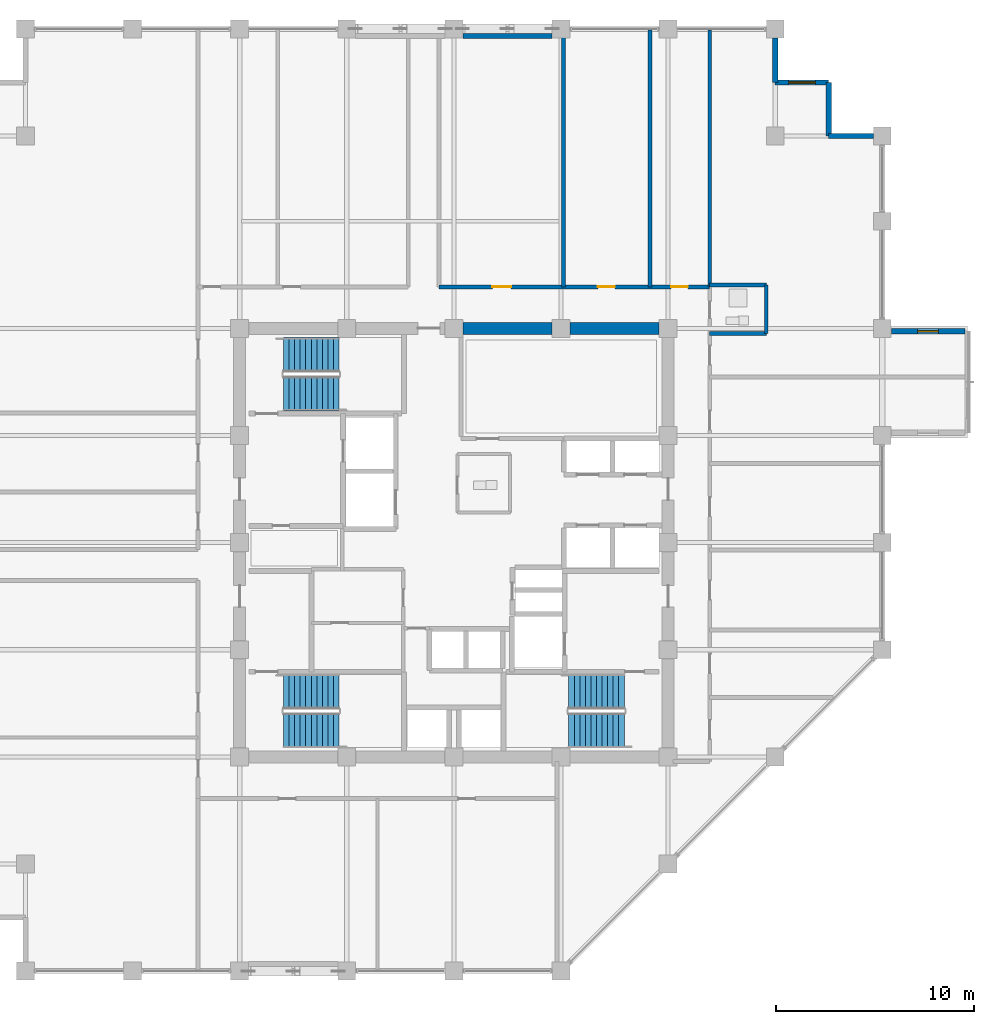
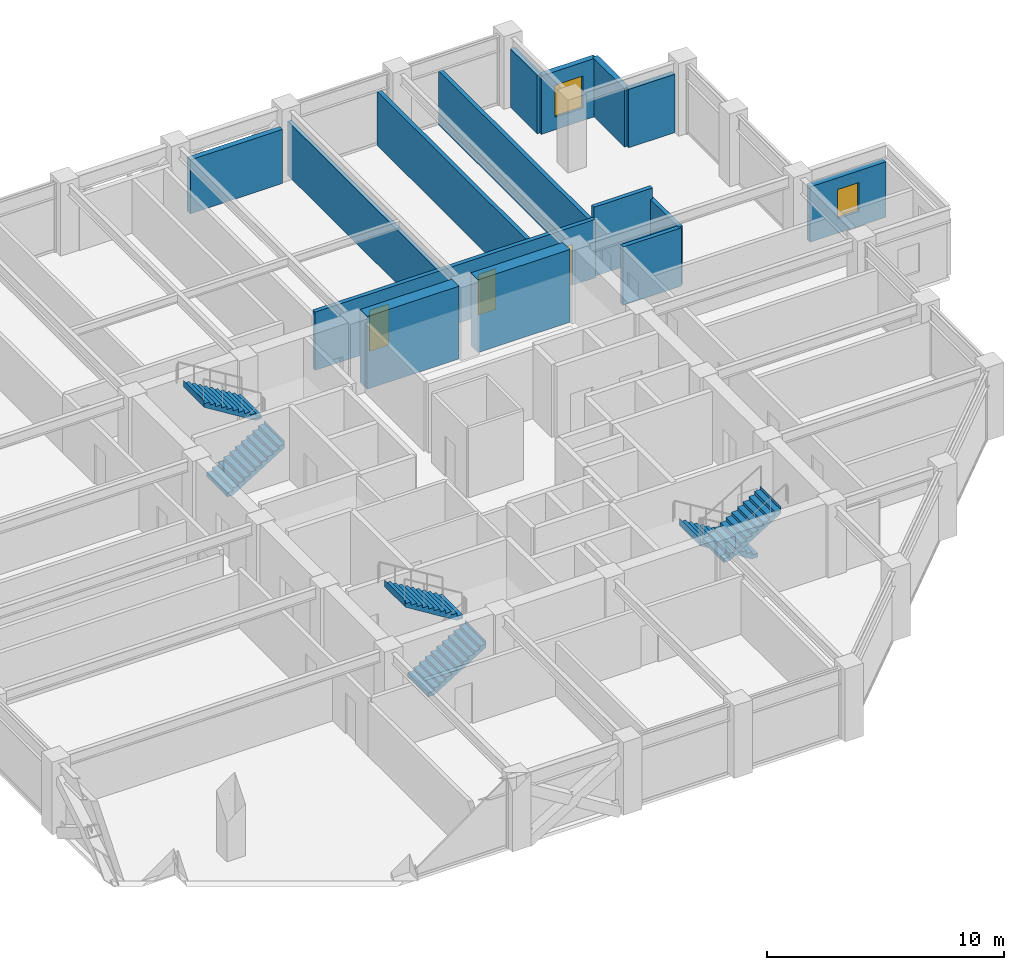
# One storey, part 25 of 28: 15 walls, 6 stair flights, 3 doors, 2 windows, 5 openings, 3 elements without a shape of their own.
"""IFC4 building model written with IfcOpenShell, lengths in metres."""

import ifcopenshell
import ifcopenshell.guid

model = None  # the IFC model being written
_history = None  # IfcOwnerHistory: only IFC2X3 demands one
_inside = {}  # id of a spatial element -> (the spatial element, [elements in it])
_under = {}  # id of a project, library or spatial element -> (it, [spatial elements below it])
_declared = {}  # id of a project -> (the project, [libraries it declares])
_typed = {}  # id of a type object -> (the type object, [elements of that type])
_made_of = {}  # id of a material, layer set ... -> (it, [elements and type objects made of it])


def new_model(schema):
    """Start an empty IFC model of exactly this schema.

    Asked for "IFC4X3", IfcOpenShell would pick the latest addendum, in which some entities
    have other attributes; the version numbers below select the first issue.
    IFC2X3 requires an IfcOwnerHistory on every rooted entity: one is made here for all.
    """
    global model, _history
    if schema == "IFC4X3":
        model = ifcopenshell.file(schema_version=(4, 3, 0, 0))
    else:
        model = ifcopenshell.file(schema=schema)
    _inside.clear()
    _under.clear()
    _declared.clear()
    _typed.clear()
    _made_of.clear()
    _history = None
    if model.schema == "IFC2X3":
        org = make("IfcOrganization", Name="unknown")
        user = make(
            "IfcPersonAndOrganization",
            ThePerson=make("IfcPerson", FamilyName="unknown"),
            TheOrganization=org,
        )
        app = make(
            "IfcApplication",
            ApplicationDeveloper=org,
            Version="unknown",
            ApplicationFullName="unknown",
            ApplicationIdentifier="unknown",
        )
        _history = make(
            "IfcOwnerHistory",
            OwningUser=user,
            OwningApplication=app,
            ChangeAction="ADDED",
            CreationDate=0,
        )
    return model


def make(cls, **values):
    """One entity of the class cls with the attributes given. An attribute that is None is left unset."""
    return model.create_entity(
        cls, **{name: value for name, value in values.items() if value is not None}
    )


def rooted(cls, **values):
    """An entity with a GlobalId (a new one), such as an element, a storey or a relation."""
    return make(cls, GlobalId=ifcopenshell.guid.new(), OwnerHistory=_history, **values)


def si_unit(unit_type, name, prefix=None):
    """IfcSIUnit, for example si_unit("LENGTHUNIT", "METRE", prefix="MILLI")."""
    return make("IfcSIUnit", UnitType=unit_type, Prefix=prefix, Name=name)


def assignment(units):
    """IfcUnitAssignment: the units of a project."""
    return None if units is None else make("IfcUnitAssignment", Units=units)


def point(xyz):
    """IfcCartesianPoint."""
    return None if xyz is None else make("IfcCartesianPoint", Coordinates=xyz)


def direction(xyz):
    """IfcDirection."""
    return None if xyz is None else make("IfcDirection", DirectionRatios=xyz)


def frame(location, z_axis=None, x_axis=None):
    """IfcAxis2Placement3D, a coordinate frame: its origin and axes. An axis left out is left unset."""
    return make(
        "IfcAxis2Placement3D",
        Location=point(location),
        Axis=direction(z_axis),
        RefDirection=direction(x_axis),
    )


def frame_2d(location, x_axis=None):
    """IfcAxis2Placement2D, a coordinate frame in the plane: its origin and x axis."""
    return make(
        "IfcAxis2Placement2D", Location=point(location), RefDirection=direction(x_axis)
    )


def origin():
    """The frame at (0, 0, 0) with its axes left unset."""
    return frame((0.0, 0.0, 0.0))


def place(relative_to, where):
    """IfcLocalPlacement: puts the frame where relative to a parent placement (None: the world)."""
    return make(
        "IfcLocalPlacement", PlacementRelTo=relative_to, RelativePlacement=where
    )


def context(
    kind, dimensions, precision=None, world=None, true_north=None, identifier=None
):
    """IfcGeometricRepresentationContext, for example the 3D "Model" context."""
    return make(
        "IfcGeometricRepresentationContext",
        ContextIdentifier=identifier,
        ContextType=kind,
        CoordinateSpaceDimension=dimensions,
        Precision=precision,
        WorldCoordinateSystem=world,
        TrueNorth=true_north,
    )


def subcontext(parent, identifier, kind, view, scale=None):
    """IfcGeometricRepresentationSubContext, for example "Body" below "Model"."""
    return make(
        "IfcGeometricRepresentationSubContext",
        ContextIdentifier=identifier,
        ContextType=kind,
        ParentContext=parent,
        TargetScale=scale,
        TargetView=view,
    )


def project(units=None, contexts=None):
    """IfcProject with its units and contexts."""
    return rooted(
        "IfcProject",
        Name="project",
        RepresentationContexts=contexts,
        UnitsInContext=assignment(units),
    )


def spatial(cls, under=None, at=None, **own):
    """A site, building, storey or space (cls), placed at a placement, below another one or the project."""
    s = rooted(cls, ObjectPlacement=at, **own)
    if under is not None:
        _under.setdefault(under.id(), (under, []))[1].append(s)
    return s


def polyline(points):
    """IfcPolyline through the points."""
    return make("IfcPolyline", Points=[point(p) for p in points])


def profile(cls, at=None, kind="AREA", **sizes):
    """A parametric profile (cls). Its sizes go by their IFC names, for example OverallWidth=200.0."""
    return make(cls, ProfileType=kind, Position=at, **sizes)


def rectangle(**sizes):
    """IfcRectangleProfileDef."""
    return profile("IfcRectangleProfileDef", **sizes)


def outline(outer, holes=None, kind="AREA"):
    """IfcArbitraryClosedProfileDef: a profile drawn as a closed curve; with holes, ...WithVoids."""
    if holes is None:
        return make("IfcArbitraryClosedProfileDef", ProfileType=kind, OuterCurve=outer)
    return make(
        "IfcArbitraryProfileDefWithVoids",
        ProfileType=kind,
        OuterCurve=outer,
        InnerCurves=holes,
    )


def extrude(swept, where, along, depth):
    """IfcExtrudedAreaSolid: the profile swept, set in the frame where, extruded along a direction by depth."""
    return make(
        "IfcExtrudedAreaSolid",
        SweptArea=swept,
        Position=where,
        ExtrudedDirection=direction(along),
        Depth=depth,
    )


def shape(context_of_items, identifier, shape_type, items):
    """IfcShapeRepresentation: the items that make up one representation, for example the "Body"."""
    return make(
        "IfcShapeRepresentation",
        ContextOfItems=context_of_items,
        RepresentationIdentifier=identifier,
        RepresentationType=shape_type,
        Items=items,
    )


def material(Name=None, Category=None):
    """IfcMaterial."""
    return make("IfcMaterial", Name=Name, Category=Category)


def layer(
    of_material, thickness, ventilated=None, Name=None, Category=None, Priority=None
):
    """IfcMaterialLayer: one layer of a wall or slab, of a material (None: an air gap)."""
    return make(
        "IfcMaterialLayer",
        Material=of_material,
        LayerThickness=thickness,
        IsVentilated=ventilated,
        Name=Name,
        Category=Category,
        Priority=Priority,
    )


def layer_set(layers, Name=None):
    """IfcMaterialLayerSet."""
    return make("IfcMaterialLayerSet", MaterialLayers=layers, LayerSetName=Name)


def made_of(thing, what):
    """Note that an element or type object is made of a material, layer set ...; save() writes the relation."""
    if what is not None:
        _made_of.setdefault(what.id(), (what, []))[1].append(thing)
    return thing


def type_object(cls, material=None, **own):
    """A type object (cls), such as IfcWallType, which elements share."""
    return made_of(rooted(cls, **own), material)


def element(
    cls,
    number,
    at=None,
    inside=None,
    cuts=None,
    type_object=None,
    material=None,
    context=None,
    identifier="Body",
    shape_type=None,
    held_by="IfcProductDefinitionShape",
    body=None,
    shapes=None,
    **own,
):
    """One element of the class cls, such as IfcWall. Its Tag is "e" and its number.

    at: its placement. inside: the storey or other place that contains it. cuts: it is an
    opening in that element (IfcRelVoidsElement). A single representation is given by context,
    identifier, shape_type and body (its items); several are given by shapes. held_by: the class
    of the entity that holds the representations. save() writes the other relations.
    """
    e = rooted(cls, Tag="e%d" % number, ObjectPlacement=at, **own)
    if body is not None:
        shapes = [shape(context, identifier, shape_type, body)]
    if shapes is not None:
        e.Representation = make(held_by, Representations=shapes)
    if inside is not None:
        _inside.setdefault(inside.id(), (inside, []))[1].append(e)
    if cuts is not None:
        rooted(
            "IfcRelVoidsElement", RelatingBuildingElement=cuts, RelatedOpeningElement=e
        )
    if type_object is not None:
        _typed.setdefault(type_object.id(), (type_object, []))[1].append(e)
    return made_of(e, material)


def fill(opening, filler):
    """IfcRelFillsElement: the door or window that sits in an opening."""
    return rooted(
        "IfcRelFillsElement",
        RelatingOpeningElement=opening,
        RelatedBuildingElement=filler,
    )


def aggregate(whole, parts):
    """IfcRelAggregates: a whole, such as a stair, and the parts it consists of."""
    return rooted("IfcRelAggregates", RelatingObject=whole, RelatedObjects=parts)


def save(model, path):
    """Write the relations noted so far, then the file.

    IfcRelAggregates (storeys below a building ...), IfcRelContainedInSpatialStructure (elements
    in a storey), IfcRelDefinesByType, IfcRelAssociatesMaterial and IfcRelDeclares: one each for
    every whole, place, type object, material and project.
    """
    for whole, parts in _under.values():
        aggregate(whole, parts)
    for where, things in _inside.values():
        rooted(
            "IfcRelContainedInSpatialStructure",
            RelatedElements=things,
            RelatingStructure=where,
        )
    for kind, things in _typed.values():
        rooted("IfcRelDefinesByType", RelatedObjects=things, RelatingType=kind)
    for what, things in _made_of.values():
        rooted("IfcRelAssociatesMaterial", RelatedObjects=things, RelatingMaterial=what)
    for by, libraries in _declared.values():
        rooted("IfcRelDeclares", RelatingContext=by, RelatedDefinitions=libraries)
    model.write(path)


model = new_model("IFC4")

# Units and contexts
model_context = context("Model", 3, precision=1e-05, world=origin(), true_north=direction((0.0, 1.0)))
body_context = subcontext(model_context, "Body", "Model", "MODEL_VIEW")
ifc_project = project(units=[si_unit("LENGTHUNIT", "METRE"), si_unit("AREAUNIT", "SQUARE_METRE"), si_unit("VOLUMEUNIT", "CUBIC_METRE"), si_unit("PLANEANGLEUNIT", "RADIAN"), si_unit("MASSUNIT", "GRAM", prefix="KILO")], contexts=[model_context])

# Site, building, storey
site_placement = place(None, origin())
site = spatial("IfcSite", under=ifc_project, at=site_placement, CompositionType="ELEMENT")
building_placement = place(site_placement, origin())
building = spatial("IfcBuilding", under=site, at=building_placement, Name="Surkhivell Harbour Commons", CompositionType="ELEMENT")
storey_placement = place(building_placement, frame((0.0, 0.0, 174.75)))
storey = spatial("IfcBuildingStorey", under=building, at=storey_placement, Name="L45", CompositionType="ELEMENT", Elevation=174.75)

# Walls
ifc_material_1 = material(Name="Concrete C60/75", Category="concrete")
ifc_layer_1 = layer(ifc_material_1, 0.60009765625)
ifc_layer_set_1 = layer_set([ifc_layer_1], Name="Concrete C60/75")
wall_type_1 = type_object("IfcWallType", Name="WAL-CORE-600", PredefinedType="SHEAR", material=ifc_layer_set_1)
for number, where, z_axis, x_axis, name in (
    (1, (0.4599609375, 10.800048828125, 0.0), (0.0, 0.0, 1.0), (1.0, 0.0, 0.0), "L45 Core Shear Wall North 3"),
    (2, (5.860107421875, 10.800048828125, 0.0), (0.0, 0.0, 1.0), (1.0, 0.0, 0.0), "L45 Core Shear Wall North 4"),
):
    element("IfcWall", number, at=place(storey_placement, frame(where, z_axis=z_axis, x_axis=x_axis)), inside=storey, type_object=wall_type_1, Name=name, PredefinedType="SHEAR", context=body_context, shape_type="SweptSolid", body=[
        extrude(rectangle(XDim=4.47998046875, YDim=0.60009765625, at=frame_2d((2.239990234375, 0.0))), origin(), (0.0, 0.0, 1.0), 3.75),
    ])
ifc_material_2 = material(Name="Pale-metal insulated precast concrete C45/55", Category="concrete")
ifc_layer_2 = layer(ifc_material_2, 0.260009765625)
ifc_layer_set_2 = layer_set([ifc_layer_2], Name="Pale-metal insulated precast concrete C45/55")
wall_type_2 = type_object("IfcWallType", Name="WAL-EXT-MTL260", PredefinedType="STANDARD", material=ifc_layer_set_2)
wall_1_placement = place(storey_placement, frame((21.152099609375, 20.5, 0.0), z_axis=(0.0, 0.0, 1.0), x_axis=(-1.0, 0.0, 0.0)))
element("IfcWall", 3, at=wall_1_placement, inside=storey, type_object=wall_type_2, Name="L45 Serrated Corner Facade Wall 03", PredefinedType="STANDARD", context=body_context, shape_type="SweptSolid", body=[
    extrude(rectangle(XDim=2.252197265625, YDim=0.260009765625, at=frame_2d((1.1259765625, 0.0))), origin(), (0.0, 0.0, 1.0), 3.006103515625),
])
wall_2_placement = place(storey_placement, frame((18.89990234375, 20.5, 0.0), z_axis=(0.0, 0.0, 1.0), x_axis=(0.0, 1.0, 0.0)))
element("IfcWall", 4, at=wall_2_placement, inside=storey, type_object=wall_type_2, Name="L45 Serrated Corner Facade Wall 04", PredefinedType="STANDARD", context=body_context, shape_type="SweptSolid", body=[
    extrude(rectangle(XDim=2.699951171875, YDim=0.260009765625, at=frame_2d((1.35009765625, 0.0))), origin(), (0.0, 0.0, 1.0), 3.006103515625),
])

# Wall, opening, window
wall_3_placement = place(storey_placement, frame((18.89990234375, 23.199951171875, 0.0), z_axis=(0.0, 0.0, 1.0), x_axis=(-1.0, 0.0, 0.0)))
wall_3 = element("IfcWall", 5, at=wall_3_placement, inside=storey, type_object=wall_type_2, Name="L45 Serrated Corner Facade Wall 05", PredefinedType="STANDARD", context=body_context, shape_type="SweptSolid", body=[
    extrude(rectangle(XDim=2.699951171875, YDim=0.260009765625, at=frame_2d((1.35009765625, 0.0))), origin(), (0.0, 0.0, 1.0), 3.006103515625),
])
opening_1_placement = place(wall_3_placement, frame((0.675048828125, 0.0, 0.64990234375)))
opening_1 = element("IfcOpeningElement", 6, at=opening_1_placement, cuts=wall_3, Name="Opening WN-08", PredefinedType="OPENING", context=body_context, shape_type="SweptSolid", body=[
    extrude(rectangle(XDim=1.35009765625, YDim=1.64990234375, at=frame_2d((0.675048828125, 0.824951171875))), frame((0.0, 0.139892578125, 0.0), z_axis=(0.0, -1.0, 0.0), x_axis=(1.0, 0.0, 0.0)), (0.0, 0.0, 1.0), 0.280029296875),
])
ifc_material_3 = material(Name="Thermal-break aluminium frame and double low-E glazing", Category="aluminium")
window_type_1 = type_object("IfcWindowType", Name="WIN-SER-1350x1650", PartitioningType="SINGLE_PANEL", PredefinedType="WINDOW", material=ifc_material_3)
window_1_placement = place(opening_1_placement, origin())
window_1 = element("IfcWindow", 7, at=window_1_placement, inside=storey, type_object=window_type_1, Name="L45 Serrated Alcove Window 05", OverallHeight=1.64990234375, OverallWidth=1.35009765625, PartitioningType="SINGLE_PANEL", PredefinedType="WINDOW", context=body_context, shape_type="SweptSolid", body=[
    extrude(rectangle(XDim=1.35009765625, YDim=1.64990234375, at=frame_2d((0.675048828125, 0.824951171875))), frame((0.0, 0.030029296875, 0.0), z_axis=(0.0, -1.0, 0.0), x_axis=(1.0, 0.0, 0.0)), (0.0, 0.0, 1.0), 0.06005859375),
])
fill(opening_1, window_1)

# Walls
wall_4_placement = place(storey_placement, frame((16.199951171875, 23.199951171875, 0.0), z_axis=(0.0, 0.0, 1.0), x_axis=(0.0, 1.0, 0.0)))
element("IfcWall", 8, at=wall_4_placement, inside=storey, type_object=wall_type_2, Name="L45 Serrated Corner Facade Wall 06", PredefinedType="STANDARD", context=body_context, shape_type="SweptSolid", body=[
    extrude(rectangle(XDim=2.251953125, YDim=0.260009765625, at=frame_2d((1.1259765625, 0.0))), origin(), (0.0, 0.0, 1.0), 3.006103515625),
])
wall_5_placement = place(storey_placement, frame((4.951904296875, 25.5400390625, 0.0), z_axis=(0.0, 0.0, 1.0), x_axis=(-1.0, 0.0, 0.0)))
element("IfcWall", 9, at=wall_5_placement, inside=storey, type_object=wall_type_2, Name="L45 Braced-Bay Insulated Spandrel Backing N2", PredefinedType="STANDARD", context=body_context, shape_type="SweptSolid", body=[
    extrude(rectangle(XDim=4.50390625, YDim=0.260009765625, at=frame_2d((2.251953125, 0.0))), origin(), (0.0, 0.0, 1.0), 2.780029296875),
])

# Wall, opening, window
ifc_material_4 = material(Name="Terracotta-clad reinforced concrete C45/55", Category="masonry")
ifc_layer_3 = layer(ifc_material_4, 0.280029296875)
ifc_layer_set_3 = layer_set([ifc_layer_3], Name="Terracotta-clad reinforced concrete C45/55")
wall_type_3 = type_object("IfcWallType", Name="WAL-EXT-TER280", PredefinedType="STANDARD", material=ifc_layer_set_3)
wall_6_placement = place(storey_placement, frame((22.053955078125, 10.659912109375, 0.0), z_axis=(0.0, 0.0, 1.0), x_axis=(1.0, 0.0, 0.0)))
wall_6 = element("IfcWall", 10, at=wall_6_placement, inside=storey, type_object=wall_type_3, Name="L45 Coloured Box Return Wall 01N", PredefinedType="STANDARD", context=body_context, shape_type="SweptSolid", body=[
    extrude(rectangle(XDim=3.7060546875, YDim=0.280029296875, at=frame_2d((1.85302734375, 0.0))), origin(), (0.0, 0.0, 1.0), 2.85693359375),
])
opening_2_placement = place(wall_6_placement, frame((1.327880859375, 0.0, 0.75)))
opening_2 = element("IfcOpeningElement", 11, at=opening_2_placement, cuts=wall_6, Name="Opening WN-11", PredefinedType="OPENING", context=body_context, shape_type="SweptSolid", body=[
    extrude(rectangle(XDim=1.050048828125, YDim=1.5, at=frame_2d((0.52490234375, 0.75))), frame((0.0, 0.14990234375, 0.0), z_axis=(0.0, -1.0, 0.0), x_axis=(1.0, 0.0, 0.0)), (0.0, 0.0, 1.0), 0.300048828125),
])
window_type_2 = type_object("IfcWindowType", Name="WIN-SER-1050x1500", PartitioningType="SINGLE_PANEL", PredefinedType="WINDOW", material=ifc_material_3)
window_2_placement = place(opening_2_placement, origin())
window_2 = element("IfcWindow", 12, at=window_2_placement, inside=storey, type_object=window_type_2, Name="L45 Coloured Box Return Window 01N", OverallHeight=1.5, OverallWidth=1.050048828125, PartitioningType="SINGLE_PANEL", PredefinedType="WINDOW", context=body_context, shape_type="SweptSolid", body=[
    extrude(rectangle(XDim=1.050048828125, YDim=1.5, at=frame_2d((0.52490234375, 0.75))), frame((0.0, 0.030029296875, 0.0), z_axis=(0.0, -1.0, 0.0), x_axis=(1.0, 0.0, 0.0)), (0.0, 0.0, 1.0), 0.06005859375),
])
fill(opening_2, window_2)

# Wall
ifc_material_5 = material(Name="Autoclaved aerated concrete blockwork and fire plaster", Category="masonry")
ifc_layer_4 = layer(ifc_material_5, 0.199951171875)
ifc_layer_set_4 = layer_set([ifc_layer_4], Name="Autoclaved aerated concrete blockwork and fire plaster")
wall_type_4 = type_object("IfcWallType", Name="WAL-INT-200", PredefinedType="PARTITIONING", material=ifc_layer_set_4)
wall_7_placement = place(storey_placement, frame((12.89990234375, 12.89990234375, 0.0), z_axis=(0.0, 0.0, 1.0), x_axis=(0.0, 1.0, 0.0)))
element("IfcWall", 13, at=wall_7_placement, inside=storey, type_object=wall_type_4, Name="L45 North-East Corner Wall", PredefinedType="PARTITIONING", context=body_context, shape_type="SweptSolid", body=[
    extrude(rectangle(XDim=12.940185546875, YDim=0.199951171875, at=frame_2d((6.47021484375, 0.0))), origin(), (0.0, 0.0, 1.0), 2.780029296875),
])

# Wall, openings, doors
wall_8_placement = place(storey_placement, frame((-0.75, 12.89990234375, 0.0), z_axis=(0.0, 0.0, 1.0), x_axis=(1.0, 0.0, 0.0)))
wall_8 = element("IfcWall", 14, at=wall_8_placement, inside=storey, type_object=wall_type_4, Name="L45 Corridor North-East Wall", PredefinedType="PARTITIONING", context=body_context, shape_type="SweptSolid", body=[
    extrude(rectangle(XDim=13.64990234375, YDim=0.199951171875, at=frame_2d((6.824951171875, 0.0))), origin(), (0.0, 0.0, 1.0), 3.006103515625),
])
opening_3_placement = place(wall_8_placement, frame((2.68994140625, 0.0, 0.0)))
opening_3 = element("IfcOpeningElement", 15, at=opening_3_placement, cuts=wall_8, Name="Opening ID-4", PredefinedType="OPENING", context=body_context, shape_type="SweptSolid", body=[
    extrude(rectangle(XDim=0.949951171875, YDim=2.10009765625, at=frame_2d((0.47509765625, 1.050048828125))), frame((0.0, 0.10986328125, 0.0), z_axis=(0.0, -1.0, 0.0), x_axis=(1.0, 0.0, 0.0)), (0.0, 0.0, 1.0), 0.219970703125),
])
opening_4_placement = place(wall_8_placement, frame((8.014892578125, 0.0, 0.0)))
opening_4 = element("IfcOpeningElement", 16, at=opening_4_placement, cuts=wall_8, Name="Opening ID-6", PredefinedType="OPENING", context=body_context, shape_type="SweptSolid", body=[
    extrude(rectangle(XDim=0.85009765625, YDim=2.10009765625, at=frame_2d((0.425048828125, 1.050048828125))), frame((0.0, 0.10986328125, 0.0), z_axis=(0.0, -1.0, 0.0), x_axis=(1.0, 0.0, 0.0)), (0.0, 0.0, 1.0), 0.219970703125),
])
opening_5_placement = place(wall_8_placement, frame((11.699951171875, 0.0, 0.0)))
opening_5 = element("IfcOpeningElement", 17, at=opening_5_placement, cuts=wall_8, Name="Opening ID-6", PredefinedType="OPENING", context=body_context, shape_type="SweptSolid", body=[
    extrude(rectangle(XDim=0.85009765625, YDim=2.10009765625, at=frame_2d((0.425048828125, 1.050048828125))), frame((0.0, 0.10986328125, 0.0), z_axis=(0.0, -1.0, 0.0), x_axis=(1.0, 0.0, 0.0)), (0.0, 0.0, 1.0), 0.219970703125),
])
ifc_material_6 = material(Name="Hardwood-veneered fire-rated door leaf", Category="wood")
door_type_1 = type_object("IfcDoorType", Name="DOR-FD30-850", OperationType="NOTDEFINED", PredefinedType="DOOR", material=ifc_material_6)
door_1_placement = place(opening_4_placement, origin())
door_1 = element("IfcDoor", 18, at=door_1_placement, inside=storey, type_object=door_type_1, Name="L45 Resident Social Lounge 2 North-East Door", OperationType="SINGLE_SWING_RIGHT", OverallHeight=2.10009765625, OverallWidth=0.85009765625, PredefinedType="DOOR", context=body_context, shape_type="SweptSolid", body=[
    extrude(rectangle(XDim=0.85009765625, YDim=2.10009765625, at=frame_2d((0.425048828125, 1.050048828125))), frame((0.0, 0.02490234375, 0.0), z_axis=(0.0, -1.0, 0.0), x_axis=(1.0, 0.0, 0.0)), (0.0, 0.0, 1.0), 0.050048828125),
])
fill(opening_4, door_1)
door_2_placement = place(opening_5_placement, origin())
door_2 = element("IfcDoor", 19, at=door_2_placement, inside=storey, type_object=door_type_1, Name="L45 Resident Social Lounge 3 North-East Door", OperationType="SINGLE_SWING_LEFT", OverallHeight=2.10009765625, OverallWidth=0.85009765625, PredefinedType="DOOR", context=body_context, shape_type="SweptSolid", body=[
    extrude(rectangle(XDim=0.85009765625, YDim=2.10009765625, at=frame_2d((0.425048828125, 1.050048828125))), frame((0.0, 0.02490234375, 0.0), z_axis=(0.0, -1.0, 0.0), x_axis=(1.0, 0.0, 0.0)), (0.0, 0.0, 1.0), 0.050048828125),
])
fill(opening_5, door_2)
door_type_2 = type_object("IfcDoorType", Name="DOR-FD60-950", OperationType="NOTDEFINED", PredefinedType="DOOR", material=ifc_material_6)
door_3_placement = place(opening_3_placement, origin())
door_3 = element("IfcDoor", 20, at=door_3_placement, inside=storey, type_object=door_type_2, Name="L45 Resident Social Lounge 1 North-East Door", OperationType="SINGLE_SWING_LEFT", OverallHeight=2.10009765625, OverallWidth=0.949951171875, PredefinedType="DOOR", context=body_context, shape_type="SweptSolid", body=[
    extrude(rectangle(XDim=0.949951171875, YDim=2.10009765625, at=frame_2d((0.47509765625, 1.050048828125))), frame((0.0, 0.02490234375, 0.0), z_axis=(0.0, -1.0, 0.0), x_axis=(1.0, 0.0, 0.0)), (0.0, 0.0, 1.0), 0.050048828125),
])
fill(opening_3, door_3)

# Walls
wall_9_placement = place(storey_placement, frame((15.75, 10.550048828125, 0.0), z_axis=(0.0, 0.0, 1.0), x_axis=(0.0, 1.0, 0.0)))
element("IfcWall", 21, at=wall_9_placement, inside=storey, type_object=wall_type_4, Name="L45 East Partition BTHB", PredefinedType="PARTITIONING", context=body_context, shape_type="SweptSolid", body=[
    extrude(rectangle(XDim=2.449951171875, YDim=0.199951171875, at=frame_2d((1.22509765625, 0.0))), origin(), (0.0, 0.0, 1.0), 3.006103515625),
])
wall_10_placement = place(storey_placement, frame((12.89990234375, 13.0, 0.0), z_axis=(0.0, 0.0, 1.0), x_axis=(1.0, 0.0, 0.0)))
element("IfcWall", 22, at=wall_10_placement, inside=storey, type_object=wall_type_4, Name="L45 East Partition BTHN", PredefinedType="PARTITIONING", context=body_context, shape_type="SweptSolid", body=[
    extrude(rectangle(XDim=2.85009765625, YDim=0.199951171875, at=frame_2d((1.425048828125, 0.0))), origin(), (0.0, 0.0, 1.0), 3.570068359375),
])
wall_11_placement = place(storey_placement, frame((12.89990234375, 10.550048828125, 0.0), z_axis=(0.0, 0.0, 1.0), x_axis=(1.0, 0.0, 0.0)))
element("IfcWall", 23, at=wall_11_placement, inside=storey, type_object=wall_type_4, Name="L45 East Partition BTHS", PredefinedType="PARTITIONING", context=body_context, shape_type="SweptSolid", body=[
    extrude(rectangle(XDim=2.85009765625, YDim=0.199951171875, at=frame_2d((1.425048828125, 0.0))), origin(), (0.0, 0.0, 1.0), 3.006103515625),
])
for number, where, z_axis, x_axis, name in (
    (24, (5.530029296875, 12.89990234375, 0.0), (0.0, 0.0, 1.0), (0.0, 1.0, 0.0), "L45 North-East Partition P1"),
    (25, (9.89990234375, 12.89990234375, 0.0), (0.0, 0.0, 1.0), (0.0, 1.0, 0.0), "L45 North-East Partition P2"),
):
    element("IfcWall", number, at=place(storey_placement, frame(where, z_axis=z_axis, x_axis=x_axis)), inside=storey, type_object=wall_type_4, Name=name, PredefinedType="PARTITIONING", context=body_context, shape_type="SweptSolid", body=[
        extrude(rectangle(XDim=12.940185546875, YDim=0.199951171875, at=frame_2d((6.47021484375, 0.0))), origin(), (0.0, 0.0, 1.0), 2.780029296875),
    ])

# Stair, stair flights
ifc_material_7 = material(Name="Precast concrete C45/55", Category="concrete")
stair_type = type_object("IfcStairType", Name="STR-DL-375", PredefinedType="HALF_TURN_STAIR", material=ifc_material_7)
stair_1_placement = place(storey_placement, origin())
stair_1 = element("IfcStair", 26, at=stair_1_placement, inside=storey, type_object=stair_type, Name="L45 Core Exit Stair ST1", PredefinedType="HALF_TURN_STAIR")
stair_flight_type = type_object("IfcStairFlightType", Name="STF-DL-375", PredefinedType="STRAIGHT", material=ifc_material_7)
stair_flight_1_placement = place(storey_placement, frame((-8.590087890625, 7.514892578125, 0.0), z_axis=(0.0, 0.0, 1.0), x_axis=(1.0, 0.0, 0.0)))
stair_flight_1 = element("IfcStairFlight", 27, at=stair_flight_1_placement, type_object=stair_flight_type, Name="ST1 flight 1", NumberOfRisers=11, NumberOfTreads=10, PredefinedType="STRAIGHT", RiserHeight=0.170454545, TreadLength=0.28, context=body_context, shape_type="SweptSolid", body=[
    extrude(outline(polyline([(-0.0029296875, -0.034912109375), (-0.0029296875, 0.0), (0.0, 0.0), (0.0, 0.17041015625), (0.280029296875, 0.17041015625), (0.280029296875, 0.3408203125), (0.56005859375, 0.3408203125), (0.56005859375, 0.511474609375), (0.840087890625, 0.511474609375), (0.840087890625, 0.681884765625), (1.1201171875, 0.681884765625), (1.1201171875, 0.852294921875), (1.39990234375, 0.852294921875), (1.39990234375, 1.022705078125), (1.679931640625, 1.022705078125), (1.679931640625, 1.193115234375), (1.9599609375, 1.193115234375), (1.9599609375, 1.363525390625), (2.239990234375, 1.363525390625), (2.239990234375, 1.5341796875), (2.52001953125, 1.5341796875), (2.52001953125, 1.70458984375), (2.800048828125, 1.70458984375), (2.800048828125, 1.875), (2.802978515625, 1.875), (2.802978515625, 1.529052734375), (0.288330078125, -0.034912109375), (-0.0029296875, -0.034912109375)])), frame((0.0, 0.875, 0.0), z_axis=(0.0, -1.0, 0.0), x_axis=(1.0, 0.0, 0.0)), (0.0, 0.0, 1.0), 1.75),
])
stair_flight_2_placement = place(storey_placement, frame((-5.7900390625, 9.465087890625, 1.875), z_axis=(0.0, 0.0, 1.0), x_axis=(-1.0, 0.0, 0.0)))
stair_flight_2 = element("IfcStairFlight", 28, at=stair_flight_2_placement, type_object=stair_flight_type, Name="ST1 flight 2", NumberOfRisers=11, NumberOfTreads=10, PredefinedType="STRAIGHT", RiserHeight=0.170454545, TreadLength=0.28, context=body_context, shape_type="SweptSolid", body=[
    extrude(outline(polyline([(-0.0029296875, -0.034912109375), (-0.0029296875, 0.0), (0.0, 0.0), (0.0, 0.17041015625), (0.280029296875, 0.17041015625), (0.280029296875, 0.3408203125), (0.56005859375, 0.3408203125), (0.56005859375, 0.511474609375), (0.840087890625, 0.511474609375), (0.840087890625, 0.681884765625), (1.1201171875, 0.681884765625), (1.1201171875, 0.852294921875), (1.39990234375, 0.852294921875), (1.39990234375, 1.022705078125), (1.679931640625, 1.022705078125), (1.679931640625, 1.193115234375), (1.9599609375, 1.193115234375), (1.9599609375, 1.363525390625), (2.239990234375, 1.363525390625), (2.239990234375, 1.5341796875), (2.52001953125, 1.5341796875), (2.52001953125, 1.70458984375), (2.800048828125, 1.70458984375), (2.800048828125, 1.875), (2.802978515625, 1.875), (2.802978515625, 1.529052734375), (0.288330078125, -0.034912109375), (-0.0029296875, -0.034912109375)])), frame((0.0, 0.875, 0.0), z_axis=(0.0, -1.0, 0.0), x_axis=(1.0, 0.0, 0.0)), (0.0, 0.0, 1.0), 1.75),
])
aggregate(stair_1, [stair_flight_1, stair_flight_2])

stair_2_placement = place(storey_placement, origin())
stair_2 = element("IfcStair", 29, at=stair_2_placement, inside=storey, type_object=stair_type, Name="L45 Core Exit Stair ST2", PredefinedType="HALF_TURN_STAIR")
stair_flight_3_placement = place(storey_placement, frame((8.590087890625, -7.514892578125, 0.0), z_axis=(0.0, 0.0, 1.0), x_axis=(-1.0, 0.0, 0.0)))
stair_flight_3 = element("IfcStairFlight", 30, at=stair_flight_3_placement, type_object=stair_flight_type, Name="ST2 flight 1", NumberOfRisers=11, NumberOfTreads=10, PredefinedType="STRAIGHT", RiserHeight=0.170454545, TreadLength=0.28, context=body_context, shape_type="SweptSolid", body=[
    extrude(outline(polyline([(-0.0029296875, -0.034912109375), (-0.0029296875, 0.0), (0.0, 0.0), (0.0, 0.17041015625), (0.280029296875, 0.17041015625), (0.280029296875, 0.3408203125), (0.56005859375, 0.3408203125), (0.56005859375, 0.511474609375), (0.840087890625, 0.511474609375), (0.840087890625, 0.681884765625), (1.1201171875, 0.681884765625), (1.1201171875, 0.852294921875), (1.39990234375, 0.852294921875), (1.39990234375, 1.022705078125), (1.679931640625, 1.022705078125), (1.679931640625, 1.193115234375), (1.9599609375, 1.193115234375), (1.9599609375, 1.363525390625), (2.239990234375, 1.363525390625), (2.239990234375, 1.5341796875), (2.52001953125, 1.5341796875), (2.52001953125, 1.70458984375), (2.800048828125, 1.70458984375), (2.800048828125, 1.875), (2.802978515625, 1.875), (2.802978515625, 1.529052734375), (0.288330078125, -0.034912109375), (-0.0029296875, -0.034912109375)])), frame((0.0, 0.875, 0.0), z_axis=(0.0, -1.0, 0.0), x_axis=(1.0, 0.0, 0.0)), (0.0, 0.0, 1.0), 1.75),
])
stair_flight_4_placement = place(storey_placement, frame((5.7900390625, -9.465087890625, 1.875), z_axis=(0.0, 0.0, 1.0), x_axis=(1.0, 0.0, 0.0)))
stair_flight_4 = element("IfcStairFlight", 31, at=stair_flight_4_placement, type_object=stair_flight_type, Name="ST2 flight 2", NumberOfRisers=11, NumberOfTreads=10, PredefinedType="STRAIGHT", RiserHeight=0.170454545, TreadLength=0.28, context=body_context, shape_type="SweptSolid", body=[
    extrude(outline(polyline([(-0.0029296875, -0.034912109375), (-0.0029296875, 0.0), (0.0, 0.0), (0.0, 0.17041015625), (0.280029296875, 0.17041015625), (0.280029296875, 0.3408203125), (0.56005859375, 0.3408203125), (0.56005859375, 0.511474609375), (0.840087890625, 0.511474609375), (0.840087890625, 0.681884765625), (1.1201171875, 0.681884765625), (1.1201171875, 0.852294921875), (1.39990234375, 0.852294921875), (1.39990234375, 1.022705078125), (1.679931640625, 1.022705078125), (1.679931640625, 1.193115234375), (1.9599609375, 1.193115234375), (1.9599609375, 1.363525390625), (2.239990234375, 1.363525390625), (2.239990234375, 1.5341796875), (2.52001953125, 1.5341796875), (2.52001953125, 1.70458984375), (2.800048828125, 1.70458984375), (2.800048828125, 1.875), (2.802978515625, 1.875), (2.802978515625, 1.529052734375), (0.288330078125, -0.034912109375), (-0.0029296875, -0.034912109375)])), frame((0.0, 0.875, 0.0), z_axis=(0.0, -1.0, 0.0), x_axis=(1.0, 0.0, 0.0)), (0.0, 0.0, 1.0), 1.75),
])
aggregate(stair_2, [stair_flight_3, stair_flight_4])

stair_3_placement = place(storey_placement, origin())
stair_3 = element("IfcStair", 32, at=stair_3_placement, inside=storey, type_object=stair_type, Name="L45 Core Exit Stair ST3", PredefinedType="HALF_TURN_STAIR")
stair_flight_5_placement = place(storey_placement, frame((-8.590087890625, -9.465087890625, 0.0), z_axis=(0.0, 0.0, 1.0), x_axis=(1.0, 0.0, 0.0)))
stair_flight_5 = element("IfcStairFlight", 33, at=stair_flight_5_placement, type_object=stair_flight_type, Name="ST3 flight 1", NumberOfRisers=11, NumberOfTreads=10, PredefinedType="STRAIGHT", RiserHeight=0.170454545, TreadLength=0.28, context=body_context, shape_type="SweptSolid", body=[
    extrude(outline(polyline([(-0.0029296875, -0.034912109375), (-0.0029296875, 0.0), (0.0, 0.0), (0.0, 0.17041015625), (0.280029296875, 0.17041015625), (0.280029296875, 0.3408203125), (0.56005859375, 0.3408203125), (0.56005859375, 0.511474609375), (0.840087890625, 0.511474609375), (0.840087890625, 0.681884765625), (1.1201171875, 0.681884765625), (1.1201171875, 0.852294921875), (1.39990234375, 0.852294921875), (1.39990234375, 1.022705078125), (1.679931640625, 1.022705078125), (1.679931640625, 1.193115234375), (1.9599609375, 1.193115234375), (1.9599609375, 1.363525390625), (2.239990234375, 1.363525390625), (2.239990234375, 1.5341796875), (2.52001953125, 1.5341796875), (2.52001953125, 1.70458984375), (2.800048828125, 1.70458984375), (2.800048828125, 1.875), (2.802978515625, 1.875), (2.802978515625, 1.529052734375), (0.288330078125, -0.034912109375), (-0.0029296875, -0.034912109375)])), frame((0.0, 0.875, 0.0), z_axis=(0.0, -1.0, 0.0), x_axis=(1.0, 0.0, 0.0)), (0.0, 0.0, 1.0), 1.75),
])
stair_flight_6_placement = place(storey_placement, frame((-5.7900390625, -7.514892578125, 1.875), z_axis=(0.0, 0.0, 1.0), x_axis=(-1.0, 0.0, 0.0)))
stair_flight_6 = element("IfcStairFlight", 34, at=stair_flight_6_placement, type_object=stair_flight_type, Name="ST3 flight 2", NumberOfRisers=11, NumberOfTreads=10, PredefinedType="STRAIGHT", RiserHeight=0.170454545, TreadLength=0.28, context=body_context, shape_type="SweptSolid", body=[
    extrude(outline(polyline([(-0.0029296875, -0.034912109375), (-0.0029296875, 0.0), (0.0, 0.0), (0.0, 0.17041015625), (0.280029296875, 0.17041015625), (0.280029296875, 0.3408203125), (0.56005859375, 0.3408203125), (0.56005859375, 0.511474609375), (0.840087890625, 0.511474609375), (0.840087890625, 0.681884765625), (1.1201171875, 0.681884765625), (1.1201171875, 0.852294921875), (1.39990234375, 0.852294921875), (1.39990234375, 1.022705078125), (1.679931640625, 1.022705078125), (1.679931640625, 1.193115234375), (1.9599609375, 1.193115234375), (1.9599609375, 1.363525390625), (2.239990234375, 1.363525390625), (2.239990234375, 1.5341796875), (2.52001953125, 1.5341796875), (2.52001953125, 1.70458984375), (2.800048828125, 1.70458984375), (2.800048828125, 1.875), (2.802978515625, 1.875), (2.802978515625, 1.529052734375), (0.288330078125, -0.034912109375), (-0.0029296875, -0.034912109375)])), frame((0.0, 0.875, 0.0), z_axis=(0.0, -1.0, 0.0), x_axis=(1.0, 0.0, 0.0)), (0.0, 0.0, 1.0), 1.75),
])
aggregate(stair_3, [stair_flight_5, stair_flight_6])

save(model, "model.ifc")
